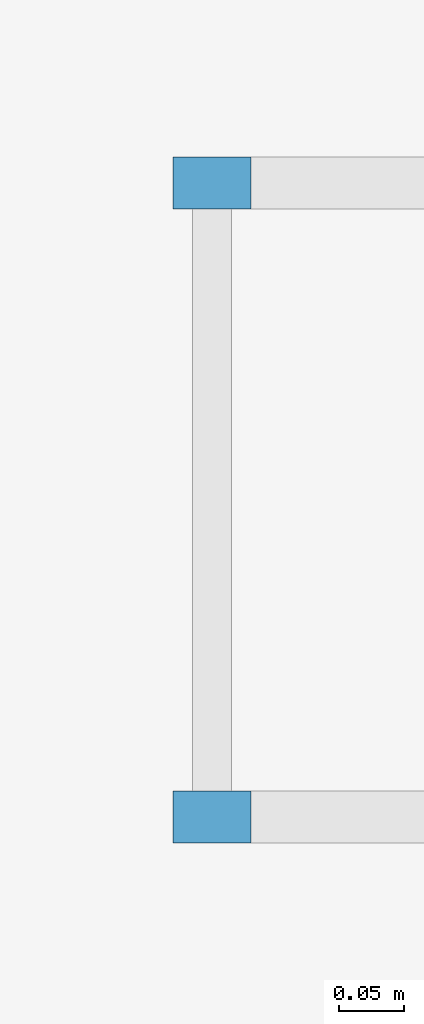
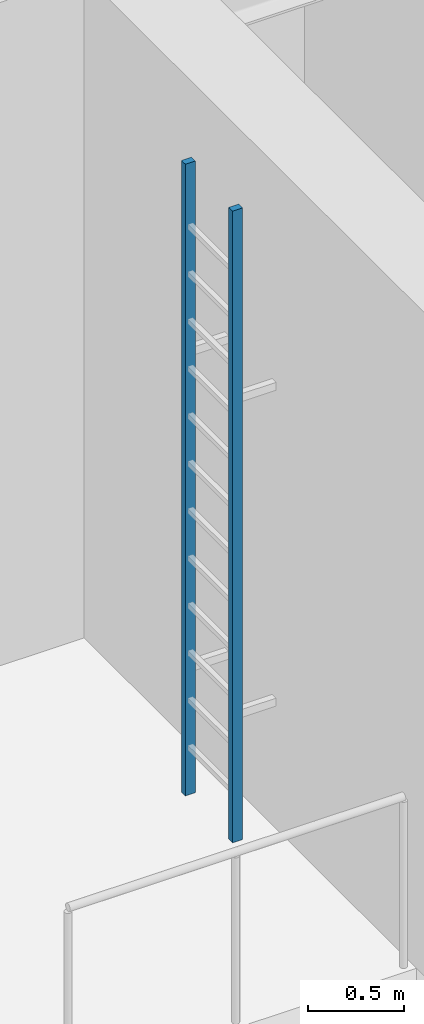
# One storey, part 16 of 24: 2 discrete accessories.
"""IFC4 building model written with IfcOpenShell, lengths in metres."""

from ifc_helpers import new_model, si_unit, direction, frame, origin, origin_2d, place, context, subcontext, project, spatial, rectangle, extrude, material, type_object, element, save


model = new_model("IFC4")

# Units and contexts
model_context = context("Model", 3, precision=1e-05, world=origin(), true_north=direction((0.0, 1.0)))
body_context = subcontext(model_context, "Body", "Model", "MODEL_VIEW")
ifc_project = project(units=[si_unit("LENGTHUNIT", "METRE"), si_unit("AREAUNIT", "SQUARE_METRE"), si_unit("VOLUMEUNIT", "CUBIC_METRE"), si_unit("PLANEANGLEUNIT", "RADIAN"), si_unit("MASSUNIT", "GRAM", prefix="KILO")], contexts=[model_context])

# Site, building, storey
site_placement = place(None, origin())
site = spatial("IfcSite", under=ifc_project, at=site_placement, CompositionType="ELEMENT")
building_placement = place(site_placement, origin())
building = spatial("IfcBuilding", under=site, at=building_placement, Name="Baradari Gate Terminus", CompositionType="ELEMENT")
storey_placement = place(building_placement, frame((0.0, 0.0, 32.699951171875)))
storey = spatial("IfcBuildingStorey", under=building, at=storey_placement, Name="L07", CompositionType="ELEMENT", Elevation=32.699951171875)

# Discrete accessories
ifc_material = material(Name="Steel S275", Category="steel")
discrete_accessory_type = type_object("IfcDiscreteAccessoryType", Name="Fixed ladder stringer FL-1 60x40", PredefinedType="USERDEFINED", material=ifc_material)
for number, where, z_axis, x_axis, name in (
    (1, (44.544921875, 132.804931640625, 0.0), (0.0, 0.0, 1.0), (1.0, 0.0, 0.0), "Roof ladder stringer 1"),
    (2, (44.544921875, 133.294921875, 0.0), (0.0, 0.0, 1.0), (1.0, 0.0, 0.0), "Roof ladder stringer 2"),
):
    element("IfcDiscreteAccessory", number, at=place(storey_placement, frame(where, z_axis=z_axis, x_axis=x_axis)), inside=storey, type_object=discrete_accessory_type, Name=name, ObjectType="LADDER STRINGER", PredefinedType="USERDEFINED", context=body_context, shape_type="SweptSolid", body=[
        extrude(rectangle(XDim=0.06005859375, YDim=0.0400390625, at=origin_2d()), origin(), (0.0, 0.0, 1.0), 4.0),
    ])

save(model, "model.ifc")
